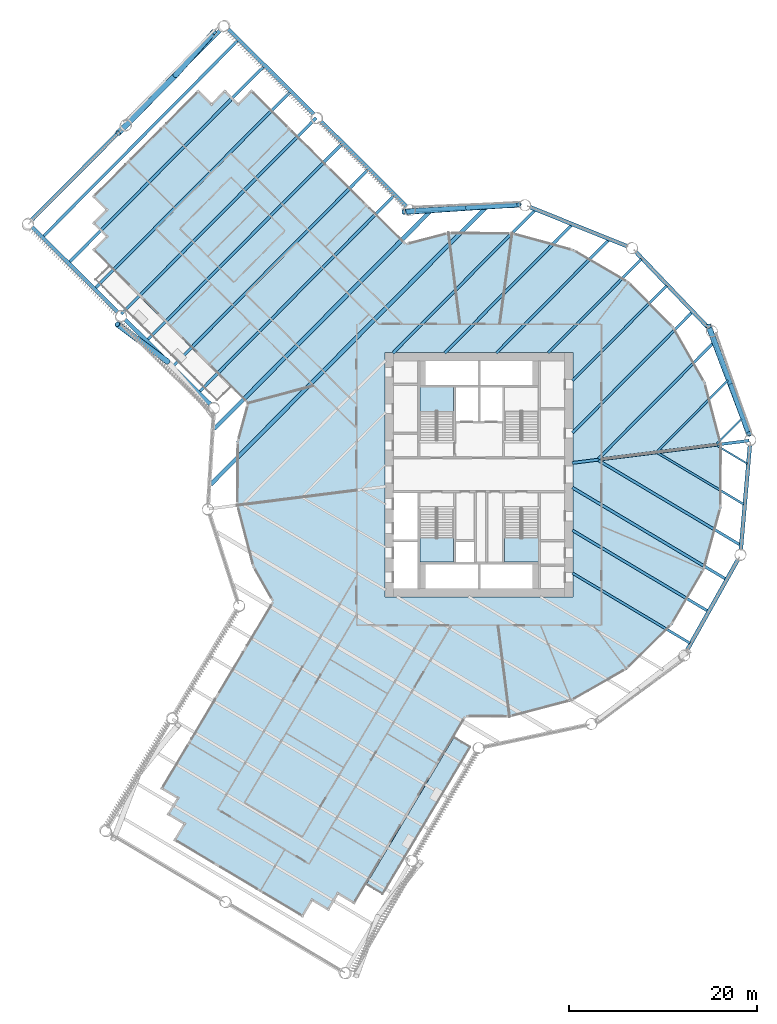
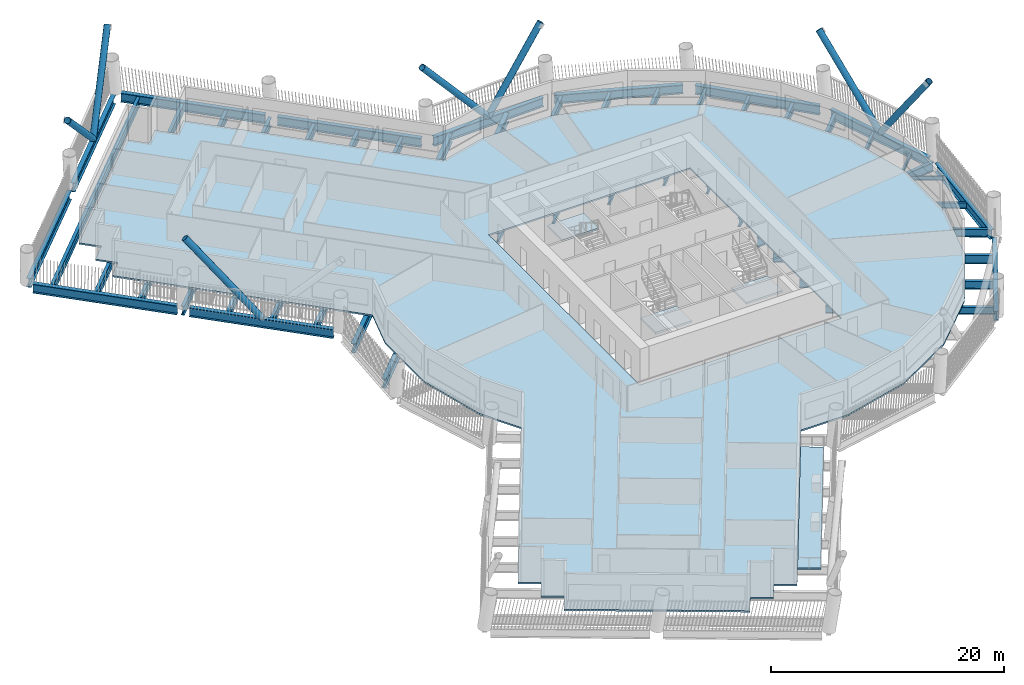
# One storey, part 2 of 22: 37 beams, 7 members, 5 slabs, 3 elements without a shape of their own.
"""IFC4 building model written with IfcOpenShell, lengths in metres."""

from ifc_helpers import new_model, si_unit, direction, frame, origin, origin_2d, place, context, subcontext, project, spatial, polyline, hollow_circle, i_section, outline, extrude, material, layer, layer_set, material_profile, profile_set, type_object, element, aggregate, save


model = new_model("IFC4")

# Units and contexts
model_context = context("Model", 3, precision=1e-05, world=origin(), true_north=direction((0.0, 1.0)))
body_context = subcontext(model_context, "Body", "Model", "MODEL_VIEW")
ifc_project = project(units=[si_unit("LENGTHUNIT", "METRE"), si_unit("AREAUNIT", "SQUARE_METRE"), si_unit("VOLUMEUNIT", "CUBIC_METRE"), si_unit("PLANEANGLEUNIT", "RADIAN"), si_unit("MASSUNIT", "GRAM", prefix="KILO")], contexts=[model_context])

# Site, building, storey
site_placement = place(None, origin())
site = spatial("IfcSite", under=ifc_project, at=site_placement, CompositionType="ELEMENT")
building_placement = place(site_placement, origin())
building = spatial("IfcBuilding", under=site, at=building_placement, Name="Tarsis Ring Headquarters", CompositionType="ELEMENT")
storey_placement = place(building_placement, frame((0.0, 0.0, 79.0)))
storey = spatial("IfcBuildingStorey", under=building, at=storey_placement, Name="L17", CompositionType="ELEMENT", Elevation=79.0)

# Beams
ifc_material_1 = material(Name="Structural steel S355", Category="steel")
ifc_material_profile_1 = material_profile(ifc_material_1, i_section(OverallWidth=0.177734375, OverallDepth=0.406494140625, WebThickness=0.0078125, FlangeThickness=0.0126953125, at=origin_2d()), Name="W16x40")
ifc_profile_set_1 = profile_set([ifc_material_profile_1], Name="Structural steel S355")
beam_type_1 = type_object("IfcBeamType", Name="FB Floor beam W16x40", PredefinedType="JOIST", material=ifc_profile_set_1)
for number, where, z_axis, x_axis, name in (
    (1, (25.26904296875, 3.09814453125, -0.36328125), (0.8589574596, -0.512046953509, 0.0), (0.512046953509, 0.8589574596, 0.0), "Floor beam FB1"),
    (2, (27.88232421875, 5.9384765625, -0.36328125), (-0.704655826497, -0.709549269737, 0.0), (0.709549269737, -0.704655826497, 0.0), "Floor beam FB1"),
):
    element("IfcBeam", number, at=place(storey_placement, frame(where, z_axis=z_axis, x_axis=x_axis)), inside=storey, type_object=beam_type_1, Name=name, PredefinedType="JOIST", context=body_context, shape_type="SweptSolid", body=[
        extrude(i_section(OverallWidth=0.177734375, OverallDepth=0.406494140625, WebThickness=0.0078125, FlangeThickness=0.0126953125, at=origin_2d()), origin(), (0.0, 0.0, 1.0), 3.741943359375),
    ])
ifc_material_profile_2 = material_profile(ifc_material_1, i_section(OverallWidth=0.228271484375, OverallDepth=0.607177734375, WebThickness=0.01123046875, FlangeThickness=0.017333984375, at=origin_2d()), Name="W24x76")
ifc_profile_set_2 = profile_set([ifc_material_profile_2], Name="Structural steel S355")
beam_type_2 = type_object("IfcBeamType", Name="FB Floor beam W24x76", PredefinedType="JOIST", material=ifc_profile_set_2)
beam_1_placement = place(storey_placement, frame((18.984375, 2.30419921875, -0.463623046875), z_axis=(0.858963888677, -0.512036168594, 0.0), x_axis=(0.512036168594, 0.858963888677, 0.0)))
element("IfcBeam", 3, at=beam_1_placement, inside=storey, type_object=beam_type_2, Name="Floor beam FB4", PredefinedType="JOIST", context=body_context, shape_type="SweptSolid", body=[
    extrude(i_section(OverallWidth=0.228271484375, OverallDepth=0.607177734375, WebThickness=0.01123046875, FlangeThickness=0.017333984375, at=origin_2d()), origin(), (0.0, 0.0, 1.0), 10.621337890625),
])
beam_2_placement = place(storey_placement, frame((26.445068359375, 10.02587890625, -0.463623046875), z_axis=(-0.704642976746, -0.709562030637, 0.0), x_axis=(0.709562030637, -0.704642976746, 0.0)))
element("IfcBeam", 4, at=beam_2_placement, inside=storey, type_object=beam_type_2, Name="Floor beam FB4", PredefinedType="JOIST", context=body_context, shape_type="SweptSolid", body=[
    extrude(i_section(OverallWidth=0.228271484375, OverallDepth=0.607177734375, WebThickness=0.01123046875, FlangeThickness=0.017333984375, at=origin_2d()), origin(), (0.0, 0.0, 1.0), 10.62109375),
])
ifc_material_profile_3 = material_profile(ifc_material_1, i_section(OverallWidth=0.2666015625, OverallDepth=0.7568359375, WebThickness=0.013916015625, FlangeThickness=0.019287109375, at=origin_2d()), Name="W30x108")
ifc_profile_set_3 = profile_set([ifc_material_profile_3], Name="Structural steel S355")
beam_type_3 = type_object("IfcBeamType", Name="FB Floor beam W30x108", PredefinedType="JOIST", material=ifc_profile_set_3)
beam_3_placement = place(storey_placement, frame((9.9140625, -10.450439453125, -0.538330078125), z_axis=(0.858961899607, -0.512039505336, 0.0), x_axis=(0.512039505336, 0.858961899607, 0.0)))
element("IfcBeam", 5, at=beam_3_placement, inside=storey, type_object=beam_type_3, Name="Floor beam FB6", PredefinedType="JOIST", context=body_context, shape_type="SweptSolid", body=[
    extrude(i_section(OverallWidth=0.2666015625, OverallDepth=0.7568359375, WebThickness=0.013916015625, FlangeThickness=0.019287109375, at=origin_2d()), origin(), (0.0, 0.0, 1.0), 14.527099609375),
])
beam_4_placement = place(storey_placement, frame((19.936279296875, 20.075927734375, -0.538330078125), z_axis=(-0.704635531453, -0.709569424239, 0.0), x_axis=(0.709569424239, -0.704635531453, 0.0)))
element("IfcBeam", 6, at=beam_4_placement, inside=storey, type_object=beam_type_3, Name="Floor beam FB6", PredefinedType="JOIST", context=body_context, shape_type="SweptSolid", body=[
    extrude(i_section(OverallWidth=0.2666015625, OverallDepth=0.7568359375, WebThickness=0.013916015625, FlangeThickness=0.019287109375, at=origin_2d()), origin(), (0.0, 0.0, 1.0), 14.201416015625),
])
beam_5_placement = place(storey_placement, frame((17.240234375, 22.895751953125, -0.538330078125), z_axis=(-0.704634341579, -0.709570605837, 0.0), x_axis=(0.709570605837, -0.704634341579, 0.0)))
element("IfcBeam", 7, at=beam_5_placement, inside=storey, type_object=beam_type_3, Name="Floor beam FB6", PredefinedType="JOIST", context=body_context, shape_type="SweptSolid", body=[
    extrude(i_section(OverallWidth=0.2666015625, OverallDepth=0.7568359375, WebThickness=0.013916015625, FlangeThickness=0.019287109375, at=origin_2d()), origin(), (0.0, 0.0, 1.0), 14.046142578125),
])
ifc_material_profile_4 = material_profile(ifc_material_1, i_section(OverallWidth=0.2919921875, OverallDepth=0.835693359375, WebThickness=0.013916015625, FlangeThickness=0.018798828125, at=origin_2d()), Name="W33x118")
ifc_profile_set_4 = profile_set([ifc_material_profile_4], Name="Structural steel S355")
beam_type_4 = type_object("IfcBeamType", Name="FB Floor beam W33x118", PredefinedType="JOIST", material=ifc_profile_set_4)
beam_6_placement = place(storey_placement, frame((12.69970703125, 1.51025390625, -0.577880859375), z_axis=(0.858959127628, -0.512044155386, 0.0), x_axis=(0.512044155386, 0.858959127628, 0.0)))
element("IfcBeam", 8, at=beam_6_placement, inside=storey, type_object=beam_type_4, Name="Floor beam FB7", PredefinedType="JOIST", context=body_context, shape_type="SweptSolid", body=[
    extrude(i_section(OverallWidth=0.2919921875, OverallDepth=0.835693359375, WebThickness=0.013916015625, FlangeThickness=0.018798828125, at=origin_2d()), origin(), (0.0, 0.0, 1.0), 17.500732421875),
])
beam_7_placement = place(storey_placement, frame((9.9140625, -5.909912109375, -0.577880859375), z_axis=(0.858955480262, -0.512050273828, 0.0), x_axis=(0.512050273828, 0.858955480262, 0.0)))
element("IfcBeam", 9, at=beam_7_placement, inside=storey, type_object=beam_type_4, Name="Floor beam FB7", PredefinedType="JOIST", context=body_context, shape_type="SweptSolid", body=[
    extrude(i_section(OverallWidth=0.2919921875, OverallDepth=0.835693359375, WebThickness=0.013916015625, FlangeThickness=0.018798828125, at=origin_2d()), origin(), (0.0, 0.0, 1.0), 16.7509765625),
])
beam_8_placement = place(storey_placement, frame((25.0078125, 14.113525390625, -0.577880859375), z_axis=(-0.704633254205, -0.709571685644, 0.0), x_axis=(0.709571685644, -0.704633254205, 0.0)))
element("IfcBeam", 10, at=beam_8_placement, inside=storey, type_object=beam_type_4, Name="Floor beam FB7", PredefinedType="JOIST", context=body_context, shape_type="SweptSolid", body=[
    extrude(i_section(OverallWidth=0.2919921875, OverallDepth=0.835693359375, WebThickness=0.013916015625, FlangeThickness=0.018798828125, at=origin_2d()), origin(), (0.0, 0.0, 1.0), 17.500732421875),
])
beam_9_placement = place(storey_placement, frame((22.632080078125, 17.255859375, -0.577880859375), z_axis=(-0.704637675438, -0.709567295155, 0.0), x_axis=(0.709567295155, -0.704637675438, 0.0)))
element("IfcBeam", 11, at=beam_9_placement, inside=storey, type_object=beam_type_4, Name="Floor beam FB7", PredefinedType="JOIST", context=body_context, shape_type="SweptSolid", body=[
    extrude(i_section(OverallWidth=0.2919921875, OverallDepth=0.835693359375, WebThickness=0.013916015625, FlangeThickness=0.018798828125, at=origin_2d()), origin(), (0.0, 0.0, 1.0), 18.027099609375),
])
beam_10_placement = place(storey_placement, frame((13.770263671875, 24.936279296875, -0.577880859375), z_axis=(-0.704635387843, -0.709569566849, 0.0), x_axis=(0.709569566849, -0.704635387843, 0.0)))
element("IfcBeam", 12, at=beam_10_placement, inside=storey, type_object=beam_type_4, Name="Floor beam FB7", PredefinedType="JOIST", context=body_context, shape_type="SweptSolid", body=[
    extrude(i_section(OverallWidth=0.2919921875, OverallDepth=0.835693359375, WebThickness=0.013916015625, FlangeThickness=0.018798828125, at=origin_2d()), origin(), (0.0, 0.0, 1.0), 16.921875),
])
ifc_material_profile_5 = material_profile(ifc_material_1, i_section(OverallWidth=0.3046875, OverallDepth=0.904296875, WebThickness=0.01513671875, FlangeThickness=0.02001953125, at=origin_2d()), Name="W36x135")
ifc_profile_set_5 = profile_set([ifc_material_profile_5], Name="Structural steel S355")
beam_type_5 = type_object("IfcBeamType", Name="FB Floor beam W36x135", PredefinedType="JOIST", material=ifc_profile_set_5)
beam_11_placement = place(storey_placement, frame((9.9140625, -1.36962890625, -0.612060546875), z_axis=(0.858961883663, -0.512039532082, 0.0), x_axis=(0.512039532082, 0.858961883663, 0.0)))
element("IfcBeam", 13, at=beam_11_placement, inside=storey, type_object=beam_type_5, Name="Floor beam FB8", PredefinedType="JOIST", context=body_context, shape_type="SweptSolid", body=[
    extrude(i_section(OverallWidth=0.3046875, OverallDepth=0.904296875, WebThickness=0.01513671875, FlangeThickness=0.02001953125, at=origin_2d()), origin(), (0.0, 0.0, 1.0), 18.974853515625),
])
beam_12_placement = place(storey_placement, frame((9.844482421875, 26.517822265625, -0.612060546875), z_axis=(-0.704629267484, -0.709575644597, 0.0), x_axis=(0.709575644597, -0.704629267484, 0.0)))
element("IfcBeam", 14, at=beam_12_placement, inside=storey, type_object=beam_type_5, Name="Floor beam FB8", PredefinedType="JOIST", context=body_context, shape_type="SweptSolid", body=[
    extrude(i_section(OverallWidth=0.3046875, OverallDepth=0.904296875, WebThickness=0.01513671875, FlangeThickness=0.02001953125, at=origin_2d()), origin(), (0.0, 0.0, 1.0), 19.150634765625),
])
ifc_material_profile_6 = material_profile(ifc_material_1, i_section(OverallWidth=0.3046875, OverallDepth=0.91943359375, WebThickness=0.017333984375, FlangeThickness=0.02783203125, at=origin_2d()), Name="W36x170")
ifc_profile_set_6 = profile_set([ifc_material_profile_6], Name="Structural steel S355")
beam_type_6 = type_object("IfcBeamType", Name="FB Floor beam W36x170", PredefinedType="JOIST", material=ifc_profile_set_6)
beam_13_placement = place(storey_placement, frame((5.9189453125, 28.099609375, -0.61962890625), z_axis=(-0.704630212858, -0.709574705811, 0.0), x_axis=(0.709574705811, -0.704630212858, 0.0)))
element("IfcBeam", 15, at=beam_13_placement, inside=storey, type_object=beam_type_6, Name="Floor beam FB9", PredefinedType="JOIST", context=body_context, shape_type="SweptSolid", body=[
    extrude(i_section(OverallWidth=0.3046875, OverallDepth=0.91943359375, WebThickness=0.017333984375, FlangeThickness=0.02783203125, at=origin_2d()), origin(), (0.0, 0.0, 1.0), 21.3798828125),
])
ifc_material_profile_7 = material_profile(ifc_material_1, i_section(OverallWidth=0.309814453125, OverallDepth=0.949951171875, WebThickness=0.0244140625, FlangeThickness=0.0439453125, at=origin_2d()), Name="W36x256")
ifc_profile_set_7 = profile_set([ifc_material_profile_7], Name="Structural steel S355")
beam_type_7 = type_object("IfcBeamType", Name="FB Floor beam W36x256", PredefinedType="JOIST", material=ifc_profile_set_7)
for number, where, z_axis, x_axis, name in (
    (16, (-9.021728515625, 29.65869140625, -0.635009765625), (-0.704634125918, -0.709570819997, 0.0), (0.709570819997, -0.704634125918, 0.0), "Floor beam FB11"),
    (17, (-11.7890625, 32.40673828125, -0.635009765625), (-0.704634125918, -0.709570819997, 0.0), (0.709570819997, -0.704634125918, 0.0), "Floor beam FB11"),
    (18, (-14.556396484375, 35.15478515625, -0.635009765625), (-0.704634125918, -0.709570819997, 0.0), (0.709570819997, -0.704634125918, 0.0), "Floor beam FB11"),
    (19, (-17.32373046875, 37.90283203125, -0.635009765625), (-0.704634125918, -0.709570819997, 0.0), (0.709570819997, -0.704634125918, 0.0), "Floor beam FB11"),
    (20, (-20.091064453125, 40.65087890625, -0.635009765625), (-0.704634125918, -0.709570819997, 0.0), (0.709570819997, -0.704634125918, 0.0), "Floor beam FB11"),
    (21, (-22.8583984375, 43.39892578125, -0.635009765625), (-0.704634125918, -0.709570819997, 0.0), (0.709570819997, -0.704634125918, 0.0), "Floor beam FB11"),
    (22, (-25.625732421875, 46.14697265625, -0.635009765625), (-0.704634125918, -0.709570819997, 0.0), (0.709570819997, -0.704634125918, 0.0), "Floor beam FB11"),
):
    element("IfcBeam", number, at=place(storey_placement, frame(where, z_axis=z_axis, x_axis=x_axis)), inside=storey, type_object=beam_type_7, Name=name, PredefinedType="JOIST", context=body_context, shape_type="SweptSolid", body=[
        extrude(i_section(OverallWidth=0.309814453125, OverallDepth=0.949951171875, WebThickness=0.0244140625, FlangeThickness=0.0439453125, at=origin_2d()), origin(), (0.0, 0.0, 1.0), 29.375732421875),
    ])
beam_type_8 = type_object("IfcBeamType", Name="FB Floor beam W36x256 spine", PredefinedType="BEAM", material=ifc_profile_set_7)
beam_14_placement = place(storey_placement, frame((28.703369140625, 3.6259765625, -0.635009765625), z_axis=(-0.992115113108, -0.125329973842, 0.0), x_axis=(0.125329973842, -0.992115113108, 0.0)))
element("IfcBeam", 23, at=beam_14_placement, inside=storey, type_object=beam_type_8, Name="Floor beam SB11", PredefinedType="BEAM", context=body_context, shape_type="SweptSolid", body=[
    extrude(i_section(OverallWidth=0.309814453125, OverallDepth=0.949951171875, WebThickness=0.0244140625, FlangeThickness=0.0439453125, at=origin_2d()), origin(), (0.0, 0.0, 1.0), 18.951904296875),
])
ifc_material_profile_8 = material_profile(ifc_material_1, i_section(OverallWidth=0.42431640625, OverallDepth=0.947509765625, WebThickness=0.02392578125, FlangeThickness=0.042724609375, at=origin_2d()), Name="W36x302")
ifc_profile_set_8 = profile_set([ifc_material_profile_8], Name="Structural steel S355")
beam_type_9 = type_object("IfcBeamType", Name="FB Floor beam W36x302", PredefinedType="JOIST", material=ifc_profile_set_8)
beam_15_placement = place(storey_placement, frame((0.6240234375, 28.30224609375, -0.6337890625), z_axis=(-0.704634671277, -0.709570278432, 0.0), x_axis=(0.709570278432, -0.704634671277, 0.0)))
element("IfcBeam", 24, at=beam_15_placement, inside=storey, type_object=beam_type_9, Name="Floor beam FB12", PredefinedType="JOIST", context=body_context, shape_type="SweptSolid", body=[
    extrude(i_section(OverallWidth=0.42431640625, OverallDepth=0.947509765625, WebThickness=0.02392578125, FlangeThickness=0.042724609375, at=origin_2d()), origin(), (0.0, 0.0, 1.0), 41.352783203125),
])
beam_16_placement = place(storey_placement, frame((-5.11083984375, 28.06201171875, -0.6337890625), z_axis=(-0.704635297972, -0.709569656095, 0.0), x_axis=(0.709569656095, -0.704635297972, 0.0)))
element("IfcBeam", 25, at=beam_16_placement, inside=storey, type_object=beam_type_9, Name="Floor beam FB12", PredefinedType="JOIST", context=body_context, shape_type="SweptSolid", body=[
    extrude(i_section(OverallWidth=0.42431640625, OverallDepth=0.947509765625, WebThickness=0.02392578125, FlangeThickness=0.042724609375, at=origin_2d()), origin(), (0.0, 0.0, 1.0), 32.704833984375),
])

# Members
ifc_material_profile_9 = material_profile(ifc_material_1, hollow_circle(Radius=0.3046875, WallThickness=0.02490234375, at=origin_2d()), Name="CHS 610x25")
ifc_profile_set_9 = profile_set([ifc_material_profile_9], Name="Structural steel S355")
member_type = type_object("IfcMemberType", Name="XD X brace CHS 610x25", PredefinedType="BRACE", material=ifc_profile_set_9)
member_1_placement = place(storey_placement, frame((26.7880859375, 9.41845703125, 0.0), z_axis=(-0.232244494905, 0.615215643422, 0.753373882395), x_axis=(-0.93555768428, -0.353173922287, 0.0)))
element("IfcMember", 26, at=member_1_placement, inside=storey, type_object=member_type, Name="X brace XD1", PredefinedType="BRACE", context=body_context, shape_type="SweptSolid", body=[
    extrude(hollow_circle(Radius=0.3046875, WallThickness=0.02490234375, at=origin_2d()), origin(), (0.0, 0.0, 1.0), 10.353515625),
])
member_2_placement = place(storey_placement, frame((26.7880859375, 9.41845703125, 0.0), z_axis=(0.203501411077, -0.534669343826, 0.820192580107), x_axis=(0.934593614297, 0.355717269915, 0.0)))
element("IfcMember", 27, at=member_2_placement, inside=storey, type_object=member_type, Name="X brace XD1", PredefinedType="BRACE", context=body_context, shape_type="SweptSolid", body=[
    extrude(hollow_circle(Radius=0.3046875, WallThickness=0.02490234375, at=origin_2d()), origin(), (0.0, 0.0, 1.0), 9.510009765625),
])
member_3_placement = place(storey_placement, frame((-1.1884765625, 28.37060546875, 0.0), z_axis=(-0.656205676043, -0.04253970963, 0.753382030469), x_axis=(0.064691003278, -0.997905343254, 0.0)))
element("IfcMember", 28, at=member_3_placement, inside=storey, type_object=member_type, Name="X brace XD1", PredefinedType="BRACE", context=body_context, shape_type="SweptSolid", body=[
    extrude(hollow_circle(Radius=0.3046875, WallThickness=0.02490234375, at=origin_2d()), origin(), (0.0, 0.0, 1.0), 10.353271484375),
])
member_4_placement = place(storey_placement, frame((-1.1884765625, 28.37060546875, 0.0), z_axis=(0.570788153169, 0.038584806792, 0.820190280903), x_axis=(-0.06744524756, 0.997722976874, 0.0)))
element("IfcMember", 29, at=member_4_placement, inside=storey, type_object=member_type, Name="X brace XD1", PredefinedType="BRACE", context=body_context, shape_type="SweptSolid", body=[
    extrude(hollow_circle(Radius=0.3046875, WallThickness=0.02490234375, at=origin_2d()), origin(), (0.0, 0.0, 1.0), 9.510009765625),
])
member_5_placement = place(storey_placement, frame((-32.2509765625, 42.45556640625, 0.0), z_axis=(-0.522957092678, -0.528483056193, 0.668746243754), x_axis=(0.710813244662, -0.703380786781, 0.0)))
element("IfcMember", 30, at=member_5_placement, inside=storey, type_object=member_type, Name="X brace XD1", PredefinedType="BRACE", context=body_context, shape_type="SweptSolid", body=[
    extrude(hollow_circle(Radius=0.3046875, WallThickness=0.02490234375, at=origin_2d()), origin(), (0.0, 0.0, 1.0), 11.66357421875),
])
member_6_placement = place(storey_placement, frame((-32.2509765625, 42.45556640625, 0.0), z_axis=(0.410495962666, 0.462140114287, 0.78607860892), x_axis=(-0.747646450505, 0.664096969612, 0.0)))
element("IfcMember", 31, at=member_6_placement, inside=storey, type_object=member_type, Name="X brace XD1", PredefinedType="BRACE", context=body_context, shape_type="SweptSolid", body=[
    extrude(hollow_circle(Radius=0.3046875, WallThickness=0.02490234375, at=origin_2d()), origin(), (0.0, 0.0, 1.0), 9.9228515625),
])
member_7_placement = place(storey_placement, frame((-33.096923828125, 12.009033203125, 0.0), z_axis=(-0.519886344724, 0.388044920824, 0.76101204195), x_axis=(-0.59815375181, -0.801381363145, 0.0)))
element("IfcMember", 32, at=member_7_placement, inside=storey, type_object=member_type, Name="X brace XD1", PredefinedType="BRACE", context=body_context, shape_type="SweptSolid", body=[
    extrude(hollow_circle(Radius=0.3046875, WallThickness=0.02490234375, at=origin_2d()), origin(), (0.0, 0.0, 1.0), 10.24951171875),
])

# Beams
beam_type_10 = type_object("IfcBeamType", Name="XG Ring girder W36x302", PredefinedType="BEAM", material=ifc_profile_set_8)
beam_17_placement = place(storey_placement, frame((22.02978515625, -18.763916015625, -0.4736328125), z_axis=(0.489601050189, 0.871946564678, 0.0), x_axis=(-0.871946564678, 0.489601050189, 0.0)))
element("IfcBeam", 33, at=beam_17_placement, inside=storey, type_object=beam_type_10, Name="Ring girder XG1", PredefinedType="BEAM", context=body_context, shape_type="SweptSolid", body=[
    extrude(i_section(OverallWidth=0.42431640625, OverallDepth=0.947509765625, WebThickness=0.02392578125, FlangeThickness=0.042724609375, at=origin_2d()), origin(), (0.0, 0.0, 1.0), 11.1513671875),
])
beam_18_placement = place(storey_placement, frame((27.8056640625, -8.015380859375, -0.4736328125), z_axis=(0.086652289715, 0.99623861634, 0.0), x_axis=(-0.99623861634, 0.086652289715, 0.0)))
element("IfcBeam", 34, at=beam_18_placement, inside=storey, type_object=beam_type_10, Name="Ring girder XG1", PredefinedType="BEAM", context=body_context, shape_type="SweptSolid", body=[
    extrude(i_section(OverallWidth=0.42431640625, OverallDepth=0.947509765625, WebThickness=0.02392578125, FlangeThickness=0.042724609375, at=origin_2d()), origin(), (0.0, 0.0, 1.0), 11.151611328125),
])
beam_19_placement = place(storey_placement, frame((28.637451171875, 4.158203125, -0.4736328125), z_axis=(-0.331672431244, 0.943394614333, 0.0), x_axis=(-0.943394614333, -0.331672431244, 0.0)))
element("IfcBeam", 35, at=beam_19_placement, inside=storey, type_object=beam_type_10, Name="Ring girder XG1", PredefinedType="BEAM", context=body_context, shape_type="SweptSolid", body=[
    extrude(i_section(OverallWidth=0.42431640625, OverallDepth=0.947509765625, WebThickness=0.02392578125, FlangeThickness=0.042724609375, at=origin_2d()), origin(), (0.0, 0.0, 1.0), 11.15185546875),
])
beam_20_placement = place(storey_placement, frame((24.37744140625, 15.5927734375, -0.4736328125), z_axis=(-0.691056105963, 0.722801119542, 0.0), x_axis=(-0.722801119542, -0.691056105963, 0.0)))
element("IfcBeam", 36, at=beam_20_placement, inside=storey, type_object=beam_type_10, Name="Ring girder XG1", PredefinedType="BEAM", context=body_context, shape_type="SweptSolid", body=[
    extrude(i_section(OverallWidth=0.42431640625, OverallDepth=0.947509765625, WebThickness=0.02392578125, FlangeThickness=0.042724609375, at=origin_2d()), origin(), (0.0, 0.0, 1.0), 11.1513671875),
])
beam_21_placement = place(storey_placement, frame((15.783203125, 24.254638671875, -0.4736328125), z_axis=(-0.927554347443, 0.373688282584, 0.0), x_axis=(-0.373688282584, -0.927554347443, 0.0)))
element("IfcBeam", 37, at=beam_21_placement, inside=storey, type_object=beam_type_10, Name="Ring girder XG1", PredefinedType="BEAM", context=body_context, shape_type="SweptSolid", body=[
    extrude(i_section(OverallWidth=0.42431640625, OverallDepth=0.947509765625, WebThickness=0.02392578125, FlangeThickness=0.042724609375, at=origin_2d()), origin(), (0.0, 0.0, 1.0), 11.151611328125),
])
beam_22_placement = place(storey_placement, frame((4.38232421875, 28.60400390625, -0.4736328125), z_axis=(-0.999123485012, -0.041860025054, 0.0), x_axis=(0.041860025054, -0.999123485012, 0.0)))
element("IfcBeam", 38, at=beam_22_placement, inside=storey, type_object=beam_type_10, Name="Ring girder XG1", PredefinedType="BEAM", context=body_context, shape_type="SweptSolid", body=[
    extrude(i_section(OverallWidth=0.42431640625, OverallDepth=0.947509765625, WebThickness=0.02392578125, FlangeThickness=0.042724609375, at=origin_2d()), origin(), (0.0, 0.0, 1.0), 11.1513671875),
])
for number, where, z_axis, x_axis, name in (
    (39, (-7.69677734375, 28.5009765625, -0.4736328125), (-0.7095715567, 0.704633384054, 0.0), (-0.704633384054, -0.7095715567, 0.0), "Ring girder XG1"),
    (40, (-17.5615234375, 38.296875, -0.4736328125), (-0.709562023843, 0.704642983588, 0.0), (-0.704642983588, -0.709562023843, 0.0), "Ring girder XG1"),
):
    element("IfcBeam", number, at=place(storey_placement, frame(where, z_axis=z_axis, x_axis=x_axis)), inside=storey, type_object=beam_type_10, Name=name, PredefinedType="BEAM", context=body_context, shape_type="SweptSolid", body=[
        extrude(i_section(OverallWidth=0.42431640625, OverallDepth=0.947509765625, WebThickness=0.02392578125, FlangeThickness=0.042724609375, at=origin_2d()), origin(), (0.0, 0.0, 1.0), 12.804931640625),
    ])
for number, where, z_axis, x_axis, name in (
    (41, (-27.42333984375, 47.317138671875, -0.4736328125), (-0.704634854886, -0.709570096101, 0.0), (0.709570096101, -0.704634854886, 0.0), "Ring girder XG1"),
    (42, (-37.851806640625, 36.8154296875, -0.4736328125), (-0.704634854886, -0.709570096101, 0.0), (0.709570096101, -0.704634854886, 0.0), "Ring girder XG1"),
):
    element("IfcBeam", number, at=place(storey_placement, frame(where, z_axis=z_axis, x_axis=x_axis)), inside=storey, type_object=beam_type_10, Name=name, PredefinedType="BEAM", context=body_context, shape_type="SweptSolid", body=[
        extrude(i_section(OverallWidth=0.42431640625, OverallDepth=0.947509765625, WebThickness=0.02392578125, FlangeThickness=0.042724609375, at=origin_2d()), origin(), (0.0, 0.0, 1.0), 13.702880859375),
    ])
for number, where, z_axis, x_axis, name in (
    (43, (-47.504638671875, 26.31640625, -0.4736328125), (0.7095715567, -0.704633384054, 0.0), (0.704633384054, 0.7095715567, 0.0), "Ring girder XG1"),
    (44, (-37.639892578125, 16.5205078125, -0.4736328125), (0.709562023843, -0.704642983588, 0.0), (0.704642983588, 0.709562023843, 0.0), "Ring girder XG1"),
):
    element("IfcBeam", number, at=place(storey_placement, frame(where, z_axis=z_axis, x_axis=x_axis)), inside=storey, type_object=beam_type_10, Name=name, PredefinedType="BEAM", context=body_context, shape_type="SweptSolid", body=[
        extrude(i_section(OverallWidth=0.42431640625, OverallDepth=0.947509765625, WebThickness=0.02392578125, FlangeThickness=0.042724609375, at=origin_2d()), origin(), (0.0, 0.0, 1.0), 12.804931640625),
    ])

# Slab
ifc_material_2 = material(Name="Concrete C40/50", Category="concrete")
ifc_layer_1 = layer(ifc_material_2, 0.159912109375)
ifc_layer_set_1 = layer_set([ifc_layer_1], Name="Balcony slab concrete C40/50")
slab_type_1 = type_object("IfcSlabType", Name="Balcony slab concrete C40/50", PredefinedType="FLOOR", material=ifc_layer_set_1)
slab_1_placement = place(storey_placement, frame((0.0, 0.0, -0.159912109375)))
element("IfcSlab", 45, at=slab_1_placement, inside=storey, type_object=slab_type_1, Name="Balcony slab L17-16", PredefinedType="FLOOR", context=body_context, shape_type="SweptSolid", body=[
    extrude(outline(polyline([(-11.96630859375, -43.50927734375), (-10.24853515625, -44.533447265625), (-0.9541015625, -28.942138671875), (-2.672119140625, -27.91796875), (-11.96630859375, -43.50927734375)])), origin(), (0.0, 0.0, 1.0), 0.159912109375),
])

# Stair, slab
ifc_material_3 = material(Name="Core stair 1760")
stair_type = type_object("IfcStairType", Name="Core stair 1760", PredefinedType="HALF_TURN_STAIR", material=ifc_material_3)
stair_1_placement = place(storey_placement, origin())
stair_1 = element("IfcStair", 46, at=stair_1_placement, inside=storey, type_object=stair_type, Name="L17 Firefighting stair", PredefinedType="HALF_TURN_STAIR")
ifc_layer_2 = layer(ifc_material_2, 0.199951171875)
ifc_layer_set_2 = layer_set([ifc_layer_2], Name="Core stair landing 200")
slab_type_2 = type_object("IfcSlabType", Name="Core stair landing 200", PredefinedType="LANDING", material=ifc_layer_set_2)
slab_2_placement = place(storey_placement, frame((0.0, 0.0, 1.75)))
slab_2 = element("IfcSlab", 47, at=slab_2_placement, type_object=slab_type_2, Name="Stair ST1 landing 1", PredefinedType="LANDING", context=body_context, shape_type="SweptSolid", body=[
    extrude(outline(polyline([(-2.699951171875, 6.739990234375), (-2.699951171875, 9.300048828125), (-6.300048828125, 9.300048828125), (-6.300048828125, 6.739990234375), (-2.699951171875, 6.739990234375)])), origin(), (0.0, 0.0, 1.0), 0.199951171875),
])
aggregate(stair_1, [slab_2])

stair_2_placement = place(storey_placement, origin())
stair_2 = element("IfcStair", 48, at=stair_2_placement, inside=storey, type_object=stair_type, Name="L17 Exit stair C", PredefinedType="HALF_TURN_STAIR")
slab_3_placement = place(storey_placement, frame((0.0, 0.0, 1.75)))
slab_3 = element("IfcSlab", 49, at=slab_3_placement, type_object=slab_type_2, Name="Stair ST3 landing 1", PredefinedType="LANDING", context=body_context, shape_type="SweptSolid", body=[
    extrude(outline(polyline([(-6.300048828125, -6.739990234375), (-6.300048828125, -9.300048828125), (-2.699951171875, -9.300048828125), (-2.699951171875, -6.739990234375), (-6.300048828125, -6.739990234375)])), origin(), (0.0, 0.0, 1.0), 0.199951171875),
])
aggregate(stair_2, [slab_3])

stair_3_placement = place(storey_placement, origin())
stair_3 = element("IfcStair", 50, at=stair_3_placement, inside=storey, type_object=stair_type, Name="L17 Exit stair D", PredefinedType="HALF_TURN_STAIR")
slab_4_placement = place(storey_placement, frame((0.0, 0.0, 1.75)))
slab_4 = element("IfcSlab", 51, at=slab_4_placement, type_object=slab_type_2, Name="Stair ST4 landing 1", PredefinedType="LANDING", context=body_context, shape_type="SweptSolid", body=[
    extrude(outline(polyline([(2.699951171875, -6.739990234375), (2.699951171875, -9.300048828125), (6.300048828125, -9.300048828125), (6.300048828125, -6.739990234375), (2.699951171875, -6.739990234375)])), origin(), (0.0, 0.0, 1.0), 0.199951171875),
])
aggregate(stair_3, [slab_4])

# Slab
ifc_material_4 = material(Name="Concrete C35/45", Category="concrete")
ifc_layer_3 = layer(ifc_material_4, 0.159912109375)
ifc_layer_set_3 = layer_set([ifc_layer_3], Name="FS Composite floor slab 160")
slab_type_3 = type_object("IfcSlabType", Name="FS Composite floor slab 160", PredefinedType="FLOOR", material=ifc_layer_set_3)
slab_5_placement = place(storey_placement, frame((0.0, 0.0, -0.159912109375)))
element("IfcSlab", 52, at=slab_5_placement, inside=storey, type_object=slab_type_3, Name="Floor slab L17", PredefinedType="FLOOR", context=body_context, shape_type="SweptSolid", body=[
    extrude(outline(polyline([(-24.65380859375, 7.570556640625), (-25.759521484375, 3.528564453125), (-25.794921875, -3.258544921875), (-24.07275390625, -9.823974609375), (-21.996337890625, -13.4638671875), (-33.861572265625, -33.36767578125), (-32.1435546875, -34.391845703125), (-33.167724609375, -36.109619140625), (-31.44970703125, -37.1337890625), (-32.473876953125, -38.8515625), (-18.73046875, -47.04443359375), (-17.706298828125, -45.326416015625), (-15.988525390625, -46.3505859375), (-14.96435546875, -44.632568359375), (-13.246337890625, -45.65673828125), (-1.39208984375, -25.770751953125), (3.258544921875, -25.794921875), (9.823974609375, -24.07275390625), (15.719482421875, -20.709716796875), (20.5439453125, -15.935546875), (23.968505859375, -10.075439453125), (25.759521484375, -3.528564453125), (25.794921875, 3.258544921875), (24.07275390625, 9.823974609375), (20.709716796875, 15.719482421875), (15.935546875, 20.5439453125), (10.075439453125, 23.968505859375), (3.528564453125, 25.759521484375), (-3.258544921875, 25.794921875), (-7.757080078125, 24.61474609375), (-24.1845703125, 40.927978515625), (-25.593994140625, 39.5087890625), (-27.012939453125, 40.918212890625), (-28.42236328125, 39.4990234375), (-29.841552734375, 40.908203125), (-41.11572265625, 29.55517578125), (-39.696533203125, 28.14599609375), (-41.105712890625, 26.726806640625), (-39.6865234375, 25.3173828125), (-41.095947265625, 23.8984375), (-24.65380859375, 7.570556640625)]), holes=[polyline([(-10.0, -13.0), (-10.0, 13.0), (10.0, 13.0), (10.0, -13.0), (-10.0, -13.0)])]), origin(), (0.0, 0.0, 1.0), 0.159912109375),
])

save(model, "model.ifc")
